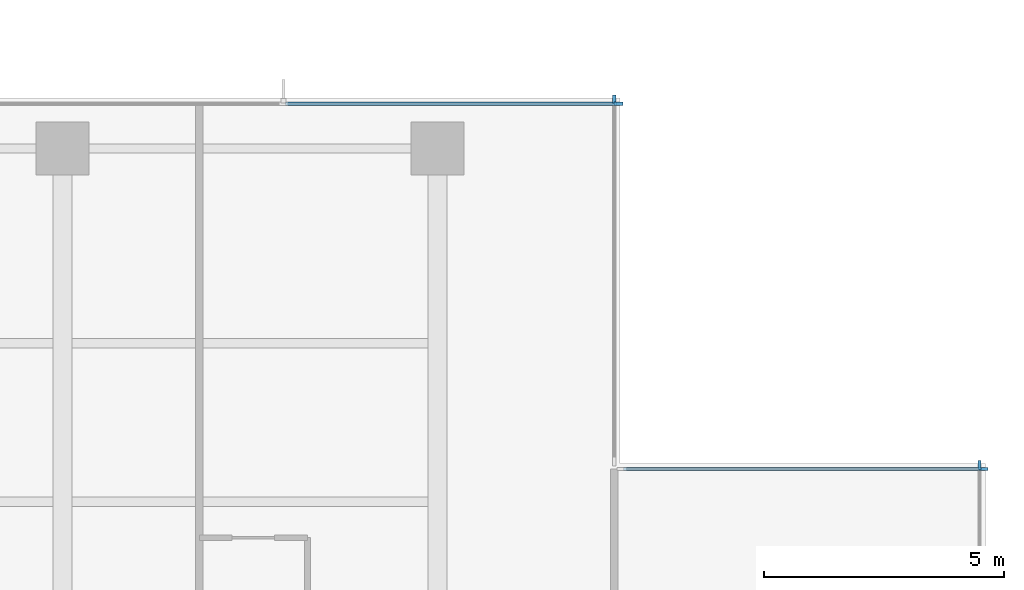
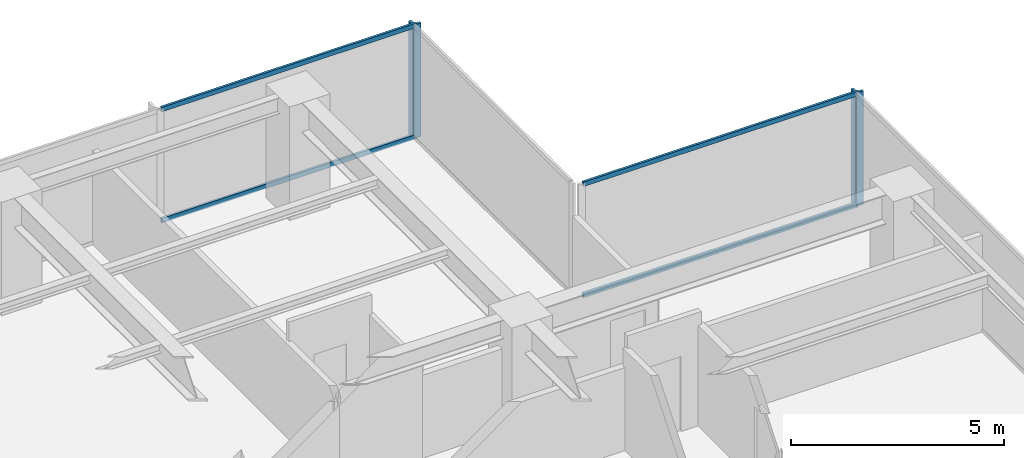
# One storey, part 5 of 16: 8 members, 4 elements without a shape of their own.
"""IFC4 building model written with IfcOpenShell, lengths in metres."""

from ifc_helpers import new_model, si_unit, direction, frame, origin, origin_2d, place, context, subcontext, project, spatial, rectangle, extrude, material, layer, layer_set, material_profile, profile_set, type_object, element, aggregate, save


model = new_model("IFC4")

# Units and contexts
model_context = context("Model", 3, precision=1e-05, world=origin(), true_north=direction((0.0, 1.0)))
body_context = subcontext(model_context, "Body", "Model", "MODEL_VIEW")
ifc_project = project(units=[si_unit("LENGTHUNIT", "METRE"), si_unit("AREAUNIT", "SQUARE_METRE"), si_unit("VOLUMEUNIT", "CUBIC_METRE"), si_unit("PLANEANGLEUNIT", "RADIAN"), si_unit("MASSUNIT", "GRAM", prefix="KILO")], contexts=[model_context])

# Site, building, storey
site_placement = place(None, origin())
site = spatial("IfcSite", under=ifc_project, at=site_placement, CompositionType="ELEMENT")
building_placement = place(site_placement, origin())
building = spatial("IfcBuilding", under=site, at=building_placement, Name="Qalmaran Belvedere Hotel", CompositionType="ELEMENT")
storey_placement = place(building_placement, frame((0.0, 0.0, 145.60009765625)))
storey = spatial("IfcBuildingStorey", under=building, at=storey_placement, Name="L36", CompositionType="ELEMENT", Elevation=145.60009765625)

# Curtain wall, member
ifc_material = material(Name="Anodised Bronze Aluminium", Category="aluminium")
ifc_layer = layer(ifc_material, 0.195068359375, Name="Anodised Bronze Aluminium")
ifc_layer_set = layer_set([ifc_layer], Name="Anodised Bronze Aluminium")
curtain_wall_type = type_object("IfcCurtainWallType", Name="CW4-TOWER-HIGHMID", PredefinedType="NOTDEFINED", material=ifc_layer_set)
curtain_wall_1_placement = place(storey_placement, origin())
curtain_wall_1 = element("IfcCurtainWall", 1, at=curtain_wall_1_placement, inside=storey, type_object=curtain_wall_type, Name="L36 Curtain Wall CW4", PredefinedType="NOTDEFINED")
ifc_material_profile_1 = material_profile(ifc_material, rectangle(XDim=0.070068359375, YDim=0.18994140625, at=origin_2d()), Name="CWM70X190")
ifc_profile_set_1 = profile_set([ifc_material_profile_1], Name="Anodised Bronze Aluminium")
member_type_1 = type_object("IfcMemberType", Name="CWM-70X190", PredefinedType="MULLION", material=ifc_profile_set_1)
member_1_placement = place(storey_placement, frame((56.080078125, 36.864990234375, 0.0), z_axis=(0.0, 0.0, 1.0), x_axis=(-1.0, 0.0, 0.0)))
member_1 = element("IfcMember", 2, at=member_1_placement, type_object=member_type_1, Name="CW4 mullion 4", PredefinedType="MULLION", context=body_context, shape_type="SweptSolid", body=[
    extrude(rectangle(XDim=0.070068359375, YDim=0.18994140625, at=origin_2d()), origin(), (0.0, 0.0, 1.0), 3.25),
])
aggregate(curtain_wall_1, [member_1])

curtain_wall_2_placement = place(storey_placement, origin())
curtain_wall_2 = element("IfcCurtainWall", 3, at=curtain_wall_2_placement, inside=storey, type_object=curtain_wall_type, Name="L36 Curtain Wall CW4", PredefinedType="NOTDEFINED")
member_2_placement = place(storey_placement, frame((56.1650390625, 36.780029296875, 0.0), z_axis=(0.0, 0.0, 1.0), x_axis=(0.0, -1.0, 0.0)))
member_2 = element("IfcMember", 4, at=member_2_placement, type_object=member_type_1, Name="CW4 mullion 1", PredefinedType="MULLION", context=body_context, shape_type="SweptSolid", body=[
    extrude(rectangle(XDim=0.070068359375, YDim=0.18994140625, at=origin_2d()), origin(), (0.0, 0.0, 1.0), 3.25),
])

curtain_wall_3_placement = place(storey_placement, origin())
curtain_wall_3 = element("IfcCurtainWall", 5, at=curtain_wall_3_placement, inside=storey, type_object=curtain_wall_type, Name="L36 Curtain Wall CW4", PredefinedType="NOTDEFINED")
member_3_placement = place(storey_placement, frame((48.47998046875, 44.465087890625, 0.0), z_axis=(0.0, 0.0, 1.0), x_axis=(-1.0, 0.0, 0.0)))
member_3 = element("IfcMember", 6, at=member_3_placement, type_object=member_type_1, Name="CW4 mullion 2", PredefinedType="MULLION", context=body_context, shape_type="SweptSolid", body=[
    extrude(rectangle(XDim=0.070068359375, YDim=0.18994140625, at=origin_2d()), origin(), (0.0, 0.0, 1.0), 3.25),
])
aggregate(curtain_wall_3, [member_3])

curtain_wall_4_placement = place(storey_placement, origin())
curtain_wall_4 = element("IfcCurtainWall", 7, at=curtain_wall_4_placement, inside=storey, type_object=curtain_wall_type, Name="L36 Curtain Wall CW4", PredefinedType="NOTDEFINED")
member_4_placement = place(storey_placement, frame((48.56494140625, 44.3798828125, 0.0), z_axis=(0.0, 0.0, 1.0), x_axis=(0.0, -1.0, 0.0)))
member_4 = element("IfcMember", 8, at=member_4_placement, type_object=member_type_1, Name="CW4 mullion 1", PredefinedType="MULLION", context=body_context, shape_type="SweptSolid", body=[
    extrude(rectangle(XDim=0.070068359375, YDim=0.18994140625, at=origin_2d()), origin(), (0.0, 0.0, 1.0), 3.25),
])

# Member
ifc_material_profile_2 = material_profile(ifc_material, rectangle(XDim=0.06494140625, YDim=0.1298828125, at=origin_2d()), Name="CWT65X130")
ifc_profile_set_2 = profile_set([ifc_material_profile_2], Name="Anodised Bronze Aluminium")
member_type_2 = type_object("IfcMemberType", Name="CWT-65X130", PredefinedType="USERDEFINED", material=ifc_profile_set_2)
member_5_placement = place(storey_placement, frame((56.1298828125, 36.780029296875, 0.032470703125), z_axis=(-1.0, 0.0, 0.0), x_axis=(0.0, -1.0, 0.0)))
member_5 = element("IfcMember", 9, at=member_5_placement, type_object=member_type_2, Name="CW4 transom 1.1", ObjectType="TRANSOM", PredefinedType="USERDEFINED", context=body_context, shape_type="SweptSolid", body=[
    extrude(rectangle(XDim=0.06494140625, YDim=0.1298828125, at=origin_2d()), origin(), (0.0, 0.0, 1.0), 7.4599609375),
])

member_6_placement = place(storey_placement, frame((56.1298828125, 36.780029296875, 3.21728515625), z_axis=(-1.0, 0.0, 0.0), x_axis=(0.0, -1.0, 0.0)))
member_6 = element("IfcMember", 10, at=member_6_placement, type_object=member_type_2, Name="CW4 transom 1.2", ObjectType="TRANSOM", PredefinedType="USERDEFINED", context=body_context, shape_type="SweptSolid", body=[
    extrude(rectangle(XDim=0.06494140625, YDim=0.1298828125, at=origin_2d()), origin(), (0.0, 0.0, 1.0), 7.4599609375),
])

aggregate(curtain_wall_2, [member_2, member_5, member_6])

member_7_placement = place(storey_placement, frame((48.530029296875, 44.3798828125, 0.032470703125), z_axis=(-1.0, 0.0, 0.0), x_axis=(0.0, -1.0, 0.0)))
member_7 = element("IfcMember", 11, at=member_7_placement, type_object=member_type_2, Name="CW4 transom 1.1", ObjectType="TRANSOM", PredefinedType="USERDEFINED", context=body_context, shape_type="SweptSolid", body=[
    extrude(rectangle(XDim=0.06494140625, YDim=0.1298828125, at=origin_2d()), origin(), (0.0, 0.0, 1.0), 6.89501953125),
])

member_8_placement = place(storey_placement, frame((48.530029296875, 44.3798828125, 3.21728515625), z_axis=(-1.0, 0.0, 0.0), x_axis=(0.0, -1.0, 0.0)))
member_8 = element("IfcMember", 12, at=member_8_placement, type_object=member_type_2, Name="CW4 transom 1.2", ObjectType="TRANSOM", PredefinedType="USERDEFINED", context=body_context, shape_type="SweptSolid", body=[
    extrude(rectangle(XDim=0.06494140625, YDim=0.1298828125, at=origin_2d()), origin(), (0.0, 0.0, 1.0), 6.89501953125),
])

aggregate(curtain_wall_4, [member_4, member_7, member_8])

save(model, "model.ifc")
